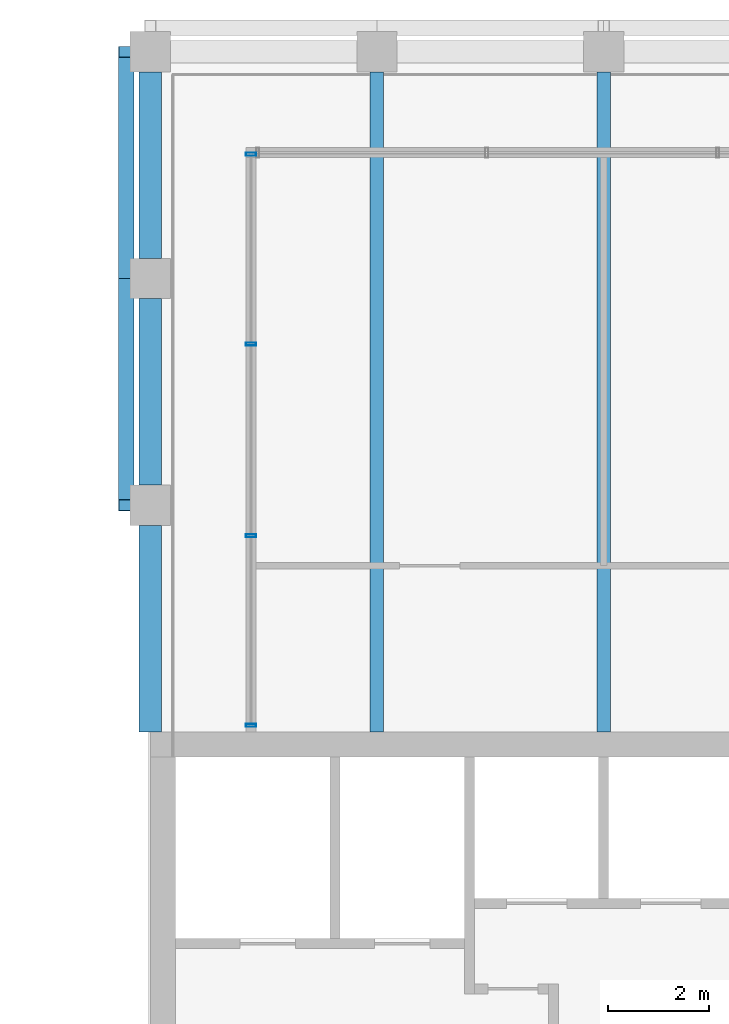
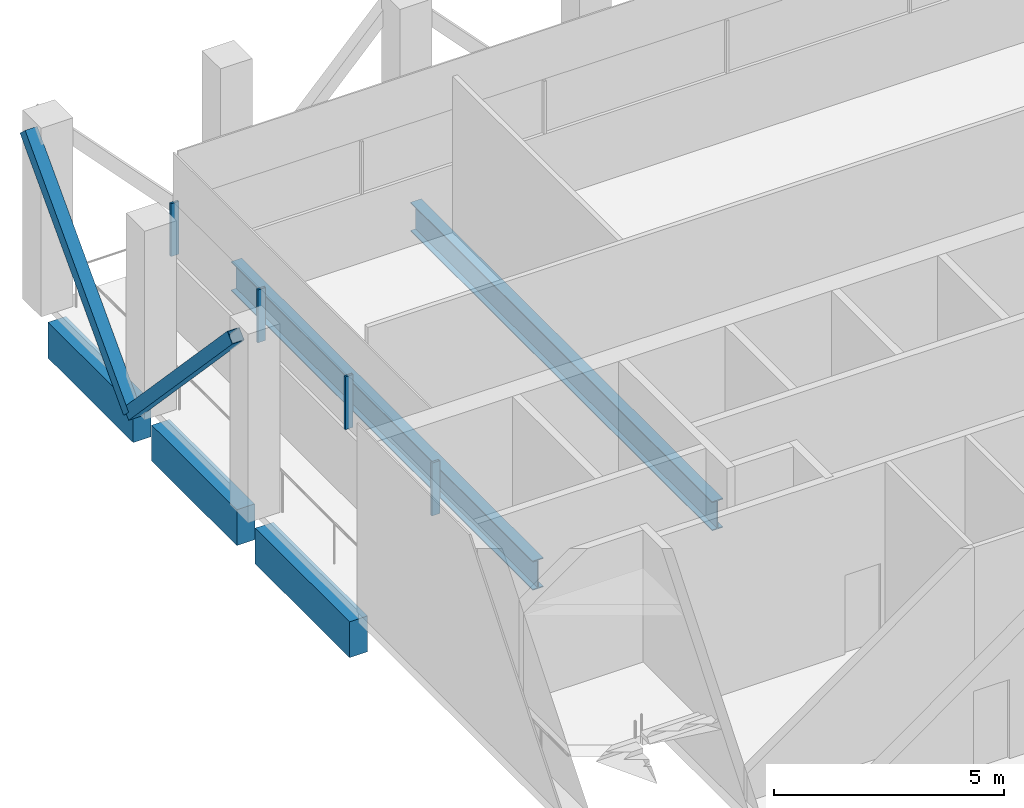
# One storey, part 12 of 21: 6 members, 5 beams, 1 element without a shape of its own.
"""IFC4 building model written with IfcOpenShell, lengths in metres."""

import ifcopenshell
import ifcopenshell.guid

model = None  # the IFC model being written
_history = None  # IfcOwnerHistory: only IFC2X3 demands one
_inside = {}  # id of a spatial element -> (the spatial element, [elements in it])
_under = {}  # id of a project, library or spatial element -> (it, [spatial elements below it])
_declared = {}  # id of a project -> (the project, [libraries it declares])
_typed = {}  # id of a type object -> (the type object, [elements of that type])
_made_of = {}  # id of a material, layer set ... -> (it, [elements and type objects made of it])


def new_model(schema):
    """Start an empty IFC model of exactly this schema.

    Asked for "IFC4X3", IfcOpenShell would pick the latest addendum, in which some entities
    have other attributes; the version numbers below select the first issue.
    IFC2X3 requires an IfcOwnerHistory on every rooted entity: one is made here for all.
    """
    global model, _history
    if schema == "IFC4X3":
        model = ifcopenshell.file(schema_version=(4, 3, 0, 0))
    else:
        model = ifcopenshell.file(schema=schema)
    _inside.clear()
    _under.clear()
    _declared.clear()
    _typed.clear()
    _made_of.clear()
    _history = None
    if model.schema == "IFC2X3":
        org = make("IfcOrganization", Name="unknown")
        user = make(
            "IfcPersonAndOrganization",
            ThePerson=make("IfcPerson", FamilyName="unknown"),
            TheOrganization=org,
        )
        app = make(
            "IfcApplication",
            ApplicationDeveloper=org,
            Version="unknown",
            ApplicationFullName="unknown",
            ApplicationIdentifier="unknown",
        )
        _history = make(
            "IfcOwnerHistory",
            OwningUser=user,
            OwningApplication=app,
            ChangeAction="ADDED",
            CreationDate=0,
        )
    return model


def make(cls, **values):
    """One entity of the class cls with the attributes given. An attribute that is None is left unset."""
    return model.create_entity(
        cls, **{name: value for name, value in values.items() if value is not None}
    )


def rooted(cls, **values):
    """An entity with a GlobalId (a new one), such as an element, a storey or a relation."""
    return make(cls, GlobalId=ifcopenshell.guid.new(), OwnerHistory=_history, **values)


def si_unit(unit_type, name, prefix=None):
    """IfcSIUnit, for example si_unit("LENGTHUNIT", "METRE", prefix="MILLI")."""
    return make("IfcSIUnit", UnitType=unit_type, Prefix=prefix, Name=name)


def assignment(units):
    """IfcUnitAssignment: the units of a project."""
    return None if units is None else make("IfcUnitAssignment", Units=units)


def point(xyz):
    """IfcCartesianPoint."""
    return None if xyz is None else make("IfcCartesianPoint", Coordinates=xyz)


def direction(xyz):
    """IfcDirection."""
    return None if xyz is None else make("IfcDirection", DirectionRatios=xyz)


def frame(location, z_axis=None, x_axis=None):
    """IfcAxis2Placement3D, a coordinate frame: its origin and axes. An axis left out is left unset."""
    return make(
        "IfcAxis2Placement3D",
        Location=point(location),
        Axis=direction(z_axis),
        RefDirection=direction(x_axis),
    )


def frame_2d(location, x_axis=None):
    """IfcAxis2Placement2D, a coordinate frame in the plane: its origin and x axis."""
    return make(
        "IfcAxis2Placement2D", Location=point(location), RefDirection=direction(x_axis)
    )


def origin():
    """The frame at (0, 0, 0) with its axes left unset."""
    return frame((0.0, 0.0, 0.0))


def origin_2d():
    """The frame at (0, 0) in the plane with its x axis left unset."""
    return frame_2d((0.0, 0.0))


def place(relative_to, where):
    """IfcLocalPlacement: puts the frame where relative to a parent placement (None: the world)."""
    return make(
        "IfcLocalPlacement", PlacementRelTo=relative_to, RelativePlacement=where
    )


def context(
    kind, dimensions, precision=None, world=None, true_north=None, identifier=None
):
    """IfcGeometricRepresentationContext, for example the 3D "Model" context."""
    return make(
        "IfcGeometricRepresentationContext",
        ContextIdentifier=identifier,
        ContextType=kind,
        CoordinateSpaceDimension=dimensions,
        Precision=precision,
        WorldCoordinateSystem=world,
        TrueNorth=true_north,
    )


def subcontext(parent, identifier, kind, view, scale=None):
    """IfcGeometricRepresentationSubContext, for example "Body" below "Model"."""
    return make(
        "IfcGeometricRepresentationSubContext",
        ContextIdentifier=identifier,
        ContextType=kind,
        ParentContext=parent,
        TargetScale=scale,
        TargetView=view,
    )


def project(units=None, contexts=None):
    """IfcProject with its units and contexts."""
    return rooted(
        "IfcProject",
        Name="project",
        RepresentationContexts=contexts,
        UnitsInContext=assignment(units),
    )


def spatial(cls, under=None, at=None, **own):
    """A site, building, storey or space (cls), placed at a placement, below another one or the project."""
    s = rooted(cls, ObjectPlacement=at, **own)
    if under is not None:
        _under.setdefault(under.id(), (under, []))[1].append(s)
    return s


def profile(cls, at=None, kind="AREA", **sizes):
    """A parametric profile (cls). Its sizes go by their IFC names, for example OverallWidth=200.0."""
    return make(cls, ProfileType=kind, Position=at, **sizes)


def rectangle(**sizes):
    """IfcRectangleProfileDef."""
    return profile("IfcRectangleProfileDef", **sizes)


def hollow_rectangle(**sizes):
    """IfcRectangleHollowProfileDef."""
    return profile("IfcRectangleHollowProfileDef", **sizes)


def i_section(**sizes):
    """IfcIShapeProfileDef."""
    return profile("IfcIShapeProfileDef", **sizes)


def extrude(swept, where, along, depth):
    """IfcExtrudedAreaSolid: the profile swept, set in the frame where, extruded along a direction by depth."""
    return make(
        "IfcExtrudedAreaSolid",
        SweptArea=swept,
        Position=where,
        ExtrudedDirection=direction(along),
        Depth=depth,
    )


def shape(context_of_items, identifier, shape_type, items):
    """IfcShapeRepresentation: the items that make up one representation, for example the "Body"."""
    return make(
        "IfcShapeRepresentation",
        ContextOfItems=context_of_items,
        RepresentationIdentifier=identifier,
        RepresentationType=shape_type,
        Items=items,
    )


def material(Name=None, Category=None):
    """IfcMaterial."""
    return make("IfcMaterial", Name=Name, Category=Category)


def material_profile(
    of_material, cross_section, Name=None, Category=None, Priority=None
):
    """IfcMaterialProfile: a cross section and its material."""
    return make(
        "IfcMaterialProfile",
        Name=Name,
        Material=of_material,
        Profile=cross_section,
        Priority=Priority,
        Category=Category,
    )


def profile_set(profiles, Name=None, composite=None):
    """IfcMaterialProfileSet."""
    return make(
        "IfcMaterialProfileSet",
        Name=Name,
        MaterialProfiles=profiles,
        CompositeProfile=composite,
    )


def made_of(thing, what):
    """Note that an element or type object is made of a material, layer set ...; save() writes the relation."""
    if what is not None:
        _made_of.setdefault(what.id(), (what, []))[1].append(thing)
    return thing


def type_object(cls, material=None, **own):
    """A type object (cls), such as IfcWallType, which elements share."""
    return made_of(rooted(cls, **own), material)


def element(
    cls,
    number,
    at=None,
    inside=None,
    cuts=None,
    type_object=None,
    material=None,
    context=None,
    identifier="Body",
    shape_type=None,
    held_by="IfcProductDefinitionShape",
    body=None,
    shapes=None,
    **own,
):
    """One element of the class cls, such as IfcWall. Its Tag is "e" and its number.

    at: its placement. inside: the storey or other place that contains it. cuts: it is an
    opening in that element (IfcRelVoidsElement). A single representation is given by context,
    identifier, shape_type and body (its items); several are given by shapes. held_by: the class
    of the entity that holds the representations. save() writes the other relations.
    """
    e = rooted(cls, Tag="e%d" % number, ObjectPlacement=at, **own)
    if body is not None:
        shapes = [shape(context, identifier, shape_type, body)]
    if shapes is not None:
        e.Representation = make(held_by, Representations=shapes)
    if inside is not None:
        _inside.setdefault(inside.id(), (inside, []))[1].append(e)
    if cuts is not None:
        rooted(
            "IfcRelVoidsElement", RelatingBuildingElement=cuts, RelatedOpeningElement=e
        )
    if type_object is not None:
        _typed.setdefault(type_object.id(), (type_object, []))[1].append(e)
    return made_of(e, material)


def aggregate(whole, parts):
    """IfcRelAggregates: a whole, such as a stair, and the parts it consists of."""
    return rooted("IfcRelAggregates", RelatingObject=whole, RelatedObjects=parts)


def save(model, path):
    """Write the relations noted so far, then the file.

    IfcRelAggregates (storeys below a building ...), IfcRelContainedInSpatialStructure (elements
    in a storey), IfcRelDefinesByType, IfcRelAssociatesMaterial and IfcRelDeclares: one each for
    every whole, place, type object, material and project.
    """
    for whole, parts in _under.values():
        aggregate(whole, parts)
    for where, things in _inside.values():
        rooted(
            "IfcRelContainedInSpatialStructure",
            RelatedElements=things,
            RelatingStructure=where,
        )
    for kind, things in _typed.values():
        rooted("IfcRelDefinesByType", RelatedObjects=things, RelatingType=kind)
    for what, things in _made_of.values():
        rooted("IfcRelAssociatesMaterial", RelatedObjects=things, RelatingMaterial=what)
    for by, libraries in _declared.values():
        rooted("IfcRelDeclares", RelatingContext=by, RelatedDefinitions=libraries)
    model.write(path)


model = new_model("IFC4")

# Units and contexts
model_context = context("Model", 3, precision=1e-05, world=origin(), true_north=direction((0.0, 1.0)))
body_context = subcontext(model_context, "Body", "Model", "MODEL_VIEW")
ifc_project = project(units=[si_unit("LENGTHUNIT", "METRE"), si_unit("AREAUNIT", "SQUARE_METRE"), si_unit("VOLUMEUNIT", "CUBIC_METRE"), si_unit("PLANEANGLEUNIT", "RADIAN"), si_unit("MASSUNIT", "GRAM", prefix="KILO")], contexts=[model_context])

# Site, building, storey
site_placement = place(None, origin())
site = spatial("IfcSite", under=ifc_project, at=site_placement, CompositionType="ELEMENT")
building_placement = place(site_placement, origin())
building = spatial("IfcBuilding", under=site, at=building_placement, Name="Altepetl Exchange Towers", CompositionType="ELEMENT")
storey_placement = place(building_placement, frame((0.0, 0.0, 246.0)))
storey = spatial("IfcBuildingStorey", under=building, at=storey_placement, Name="L63 Refuge", CompositionType="ELEMENT", Elevation=246.0)

# Members
ifc_material_1 = material(Name="Steel S355", Category="steel")
ifc_material_profile_1 = material_profile(ifc_material_1, hollow_rectangle(XDim=0.304931640625, YDim=0.304931640625, WallThickness=0.01171875, at=origin_2d()), Name="HSS305X305X12.7")
ifc_profile_set_1 = profile_set([ifc_material_profile_1], Name="Steel S355")
member_type_1 = type_object("IfcMemberType", Name="Belt diagonal HSS305X305X12.7", PredefinedType="BRACE", material=ifc_profile_set_1)
for number, where, z_axis, x_axis, name in (
    (1, (40.02001953125, 72.0, 4.75), (0.0, -0.687744647911, -0.725952683906), (1.0, 0.0, 0.0), "brc:A:L63:019"),
    (2, (40.02001953125, 67.5, 0.0), (0.0, -0.687744647911, 0.725952683906), (1.0, 0.0, 0.0), "brc:A:L63:020"),
):
    element("IfcMember", number, at=place(storey_placement, frame(where, z_axis=z_axis, x_axis=x_axis)), inside=storey, type_object=member_type_1, Name=name, PredefinedType="BRACE", context=body_context, shape_type="SweptSolid", body=[
        extrude(hollow_rectangle(XDim=0.304931640625, YDim=0.304931640625, WallThickness=0.01171875, at=origin_2d()), origin(), (0.0, 0.0, 1.0), 6.543212890625),
    ])

# Beams
ifc_material_profile_2 = material_profile(ifc_material_1, i_section(OverallWidth=0.26806640625, OverallDepth=0.77392578125, WebThickness=0.015380859375, FlangeThickness=0.025390625, at=origin_2d()), Name="W30X132")
ifc_profile_set_2 = profile_set([ifc_material_profile_2], Name="Steel S355")
beam_type_1 = type_object("IfcBeamType", Name="Floor beam W30X132", PredefinedType="BEAM", material=ifc_profile_set_2)
for number, where, z_axis, x_axis, name in (
    (3, (45.0, 58.5, -0.5869140625), (0.0, 1.0, 0.0), (-1.0, 0.0, 0.0), "bm:A:L63:000"),
    (4, (49.5, 58.5, -0.5869140625), (0.0, 1.0, 0.0), (-1.0, 0.0, 0.0), "bm:A:L63:001"),
):
    element("IfcBeam", number, at=place(storey_placement, frame(where, z_axis=z_axis, x_axis=x_axis)), inside=storey, type_object=beam_type_1, Name=name, PredefinedType="BEAM", context=body_context, shape_type="SweptSolid", body=[
        extrude(i_section(OverallWidth=0.26806640625, OverallDepth=0.77392578125, WebThickness=0.015380859375, FlangeThickness=0.025390625, at=origin_2d()), origin(), (0.0, 0.0, 1.0), 13.10009765625),
    ])

# Curtain wall, members
ifc_material_2 = material(Name="Aluminium 6063-T6 glazing", Category="aluminium")
curtain_wall_type = type_object("IfcCurtainWallType", Name="Refuge slit glazing system", PredefinedType="NOTDEFINED", material=ifc_material_2)
curtain_wall_placement = place(storey_placement, origin())
curtain_wall = element("IfcCurtainWall", 5, at=curtain_wall_placement, inside=storey, type_object=curtain_wall_type, Name="CW3 run", PredefinedType="NOTDEFINED")
ifc_material_3 = material(Name="Aluminium 6063-T6", Category="aluminium")
ifc_material_profile_3 = material_profile(ifc_material_3, hollow_rectangle(XDim=0.06005859375, YDim=0.199951171875, WallThickness=0.0029296875, at=origin_2d()), Name="Mullion 60x200 aluminium")
ifc_profile_set_3 = profile_set([ifc_material_profile_3], Name="Aluminium 6063-T6")
member_type_2 = type_object("IfcMemberType", Name="Mullion 60x200 aluminium", PredefinedType="MULLION", material=ifc_profile_set_3)
member_1_placement = place(storey_placement, frame((42.5, 69.969970703125, 1.800048828125), z_axis=(0.0, 0.0, 1.0), x_axis=(0.0, -1.0, 0.0)))
member_1 = element("IfcMember", 6, at=member_1_placement, type_object=member_type_2, Name="MU2 mullion", PredefinedType="MULLION", context=body_context, shape_type="SweptSolid", body=[
    extrude(hollow_rectangle(XDim=0.06005859375, YDim=0.199951171875, WallThickness=0.0029296875, at=origin_2d()), origin(), (0.0, 0.0, 1.0), 1.39990234375),
])
member_2_placement = place(storey_placement, frame((42.5, 66.199951171875, 1.800048828125), z_axis=(0.0, 0.0, 1.0), x_axis=(0.0, -1.0, 0.0)))
member_2 = element("IfcMember", 7, at=member_2_placement, type_object=member_type_2, Name="MU2 mullion", PredefinedType="MULLION", context=body_context, shape_type="SweptSolid", body=[
    extrude(hollow_rectangle(XDim=0.06005859375, YDim=0.199951171875, WallThickness=0.0029296875, at=origin_2d()), origin(), (0.0, 0.0, 1.0), 1.39990234375),
])
member_3_placement = place(storey_placement, frame((42.5, 62.39990234375, 1.800048828125), z_axis=(0.0, 0.0, 1.0), x_axis=(0.0, -1.0, 0.0)))
member_3 = element("IfcMember", 8, at=member_3_placement, type_object=member_type_2, Name="MU2 mullion", PredefinedType="MULLION", context=body_context, shape_type="SweptSolid", body=[
    extrude(hollow_rectangle(XDim=0.06005859375, YDim=0.199951171875, WallThickness=0.0029296875, at=origin_2d()), origin(), (0.0, 0.0, 1.0), 1.39990234375),
])
member_4_placement = place(storey_placement, frame((42.5, 58.6298828125, 1.800048828125), z_axis=(0.0, 0.0, 1.0), x_axis=(0.0, -1.0, 0.0)))
member_4 = element("IfcMember", 9, at=member_4_placement, type_object=member_type_2, Name="MU2 mullion", PredefinedType="MULLION", context=body_context, shape_type="SweptSolid", body=[
    extrude(hollow_rectangle(XDim=0.06005859375, YDim=0.199951171875, WallThickness=0.0029296875, at=origin_2d()), origin(), (0.0, 0.0, 1.0), 1.39990234375),
])
aggregate(curtain_wall, [member_1, member_2, member_3, member_4])

# Beams
ifc_material_4 = material(Name="Concrete C50/60 precast with tezontle facing", Category="concrete")
ifc_material_profile_4 = material_profile(ifc_material_4, rectangle(XDim=0.449951171875, YDim=0.949951171875, at=origin_2d()), Name="450 x 950")
ifc_profile_set_4 = profile_set([ifc_material_profile_4], Name="Concrete C50/60 precast with tezontle facing")
beam_type_2 = type_object("IfcBeamType", Name="Spandrel beam 450x950 tezontle", PredefinedType="SPANDREL", material=ifc_profile_set_4)
for number, where, z_axis, x_axis, name in (
    (10, (40.5, 71.60009765625, -0.675048828125), (0.0, -1.0, 0.0), (1.0, 0.0, 0.0), "sp:A:L63:030"),
    (11, (40.5, 67.10009765625, -0.675048828125), (0.0, -1.0, 0.0), (1.0, 0.0, 0.0), "sp:A:L63:031"),
):
    element("IfcBeam", number, at=place(storey_placement, frame(where, z_axis=z_axis, x_axis=x_axis)), inside=storey, type_object=beam_type_2, Name=name, PredefinedType="SPANDREL", context=body_context, shape_type="SweptSolid", body=[
        extrude(rectangle(XDim=0.449951171875, YDim=0.949951171875, at=origin_2d()), origin(), (0.0, 0.0, 1.0), 3.7001953125),
    ])
beam_placement = place(storey_placement, frame((40.5, 62.60009765625, -0.675048828125), z_axis=(0.0, -1.0, 0.0), x_axis=(1.0, 0.0, 0.0)))
element("IfcBeam", 12, at=beam_placement, inside=storey, type_object=beam_type_2, Name="sp:A:L63:032", PredefinedType="SPANDREL", context=body_context, shape_type="SweptSolid", body=[
    extrude(rectangle(XDim=0.449951171875, YDim=0.949951171875, at=origin_2d()), origin(), (0.0, 0.0, 1.0), 4.10009765625),
])

save(model, "model.ifc")
